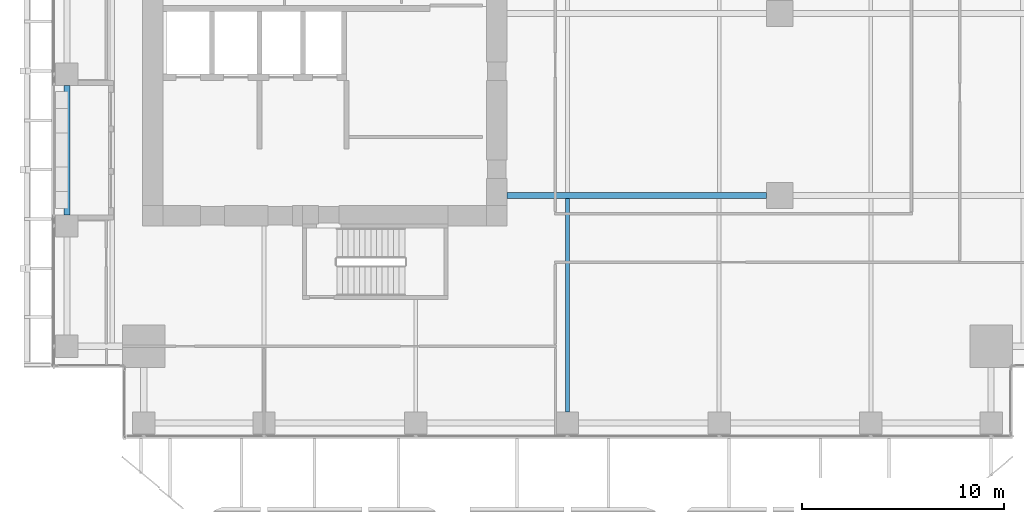
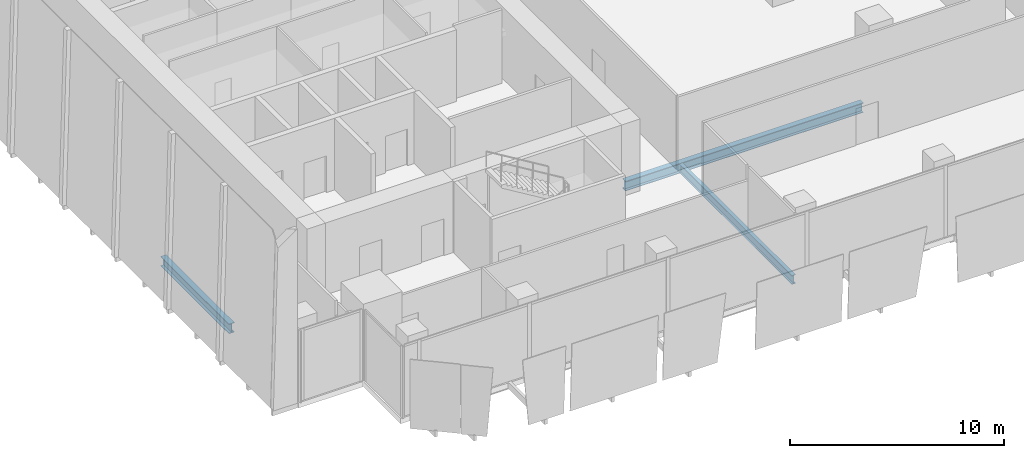
# One storey, part 6 of 34: 3 beams.
"""IFC4 building model written with IfcOpenShell, lengths in metres."""

from ifc_helpers import new_model, si_unit, direction, frame, origin, origin_2d, place, context, subcontext, project, spatial, i_section, extrude, source, transform, mapped, material, material_profile, profile_set, type_object, element, save


model = new_model("IFC4")

# Units and contexts
model_context = context("Model", 3, precision=1e-05, world=origin(), true_north=direction((0.0, 1.0)))
body_context = subcontext(model_context, "Body", "Model", "MODEL_VIEW")
ifc_project = project(units=[si_unit("LENGTHUNIT", "METRE"), si_unit("AREAUNIT", "SQUARE_METRE"), si_unit("VOLUMEUNIT", "CUBIC_METRE"), si_unit("PLANEANGLEUNIT", "RADIAN"), si_unit("MASSUNIT", "GRAM", prefix="KILO")], contexts=[model_context])

# Site, building, storey
site_placement = place(None, origin())
site = spatial("IfcSite", under=ifc_project, at=site_placement, CompositionType="ELEMENT")
building_placement = place(site_placement, origin())
building = spatial("IfcBuilding", under=site, at=building_placement, Name="Khomas Fold Tower", CompositionType="ELEMENT")
storey_placement = place(building_placement, frame((0.0, 0.0, 154.300048828125)))
storey = spatial("IfcBuildingStorey", under=building, at=storey_placement, Name="L33", CompositionType="ELEMENT", Elevation=154.300048828125)

# Beams
ifc_material_1 = material(Name="Steel S355", Category="steel")
ifc_material_profile_1 = material_profile(ifc_material_1, i_section(OverallWidth=0.300048828125, OverallDepth=0.550048828125, WebThickness=0.014892578125, FlangeThickness=0.029052734375, at=origin_2d()), Name="HE 550 B")
ifc_profile_set_1 = profile_set([ifc_material_profile_1], Name="Steel S355")
beam_type_1 = type_object("IfcBeamType", Name="HE 550 B spandrel SB2", PredefinedType="SPANDREL", material=ifc_profile_set_1)
shared_shape_1 = source(origin(), body_context, "Body", "SweptSolid", [
    extrude(i_section(OverallWidth=0.300048828125, OverallDepth=0.550048828125, WebThickness=0.014892578125, FlangeThickness=0.029052734375, at=origin_2d()), origin(), (0.0, 0.0, 1.0), 6.39990234375),
])
beam_1_placement = place(storey_placement, frame((2.25, 12.550048828125, -0.574951171875), z_axis=(0.0, 1.0, 0.0), x_axis=(-1.0, 0.0, 0.0)))
element("IfcBeam", 1, at=beam_1_placement, inside=storey, type_object=beam_type_1, Name="SB2", PredefinedType="SPANDREL", context=body_context, shape_type="MappedRepresentation", body=[
    mapped(shared_shape_1, transform((0.0, 0.0, 0.0))),
])
ifc_material_2 = material(Name="Steel S355", Category="steel")
ifc_material_profile_2 = material_profile(ifc_material_2, i_section(OverallWidth=0.300048828125, OverallDepth=0.550048828125, WebThickness=0.014892578125, FlangeThickness=0.029052734375, at=origin_2d()), Name="HE 550 B")
ifc_profile_set_2 = profile_set([ifc_material_profile_2], Name="Steel S355")
beam_type_2 = type_object("IfcBeamType", Name="HE 550 B beam GB4", PredefinedType="BEAM", material=ifc_profile_set_2)
shared_shape_2 = source(origin(), body_context, "Body", "SweptSolid", [
    extrude(i_section(OverallWidth=0.300048828125, OverallDepth=0.550048828125, WebThickness=0.014892578125, FlangeThickness=0.029052734375, at=origin_2d()), origin(), (0.0, 0.0, 1.0), 12.85009765625),
])
beam_2_placement = place(storey_placement, frame((24.0, 13.5, -0.574951171875), z_axis=(1.0, 0.0, 0.0), x_axis=(0.0, 1.0, 0.0)))
element("IfcBeam", 2, at=beam_2_placement, inside=storey, type_object=beam_type_2, Name="GB4", PredefinedType="BEAM", context=body_context, shape_type="MappedRepresentation", body=[
    mapped(shared_shape_2, transform((0.0, 0.0, 0.0))),
])
ifc_material_3 = material(Name="Steel S355", Category="steel")
ifc_material_profile_3 = material_profile(ifc_material_3, i_section(OverallWidth=0.199951171875, OverallDepth=0.5, WebThickness=0.01025390625, FlangeThickness=0.01611328125, at=origin_2d()), Name="IPE 500")
ifc_profile_set_3 = profile_set([ifc_material_profile_3], Name="Steel S355")
beam_type_3 = type_object("IfcBeamType", Name="IPE 500 beam JB5", PredefinedType="BEAM", material=ifc_profile_set_3)
shared_shape_3 = source(origin(), body_context, "Body", "SweptSolid", [
    extrude(i_section(OverallWidth=0.199951171875, OverallDepth=0.5, WebThickness=0.01025390625, FlangeThickness=0.01611328125, at=origin_2d()), origin(), (0.0, 0.0, 1.0), 10.550048828125),
])
beam_3_placement = place(storey_placement, frame((27.0, 2.800048828125, -0.550048828125), z_axis=(0.0, 1.0, 0.0), x_axis=(-1.0, 0.0, 0.0)))
element("IfcBeam", 3, at=beam_3_placement, inside=storey, type_object=beam_type_3, Name="JB5", PredefinedType="BEAM", context=body_context, shape_type="MappedRepresentation", body=[
    mapped(shared_shape_3, transform((0.0, 0.0, 0.0))),
])

save(model, "model.ifc")
